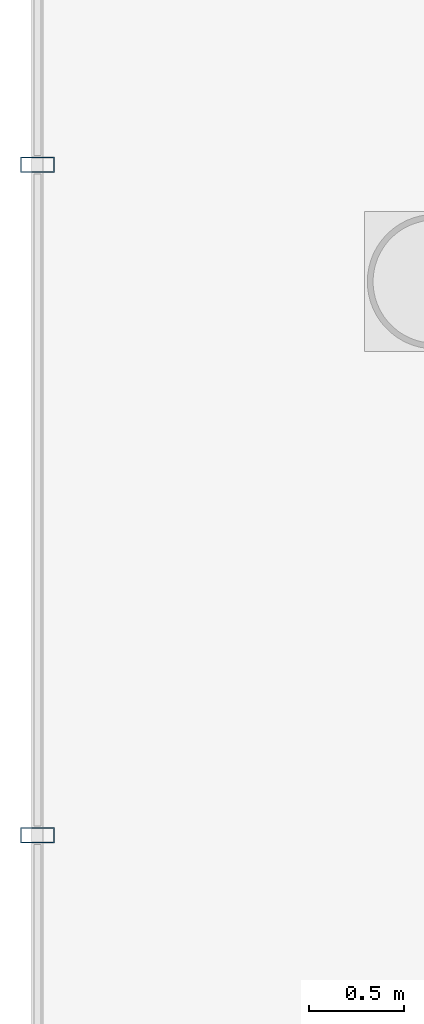
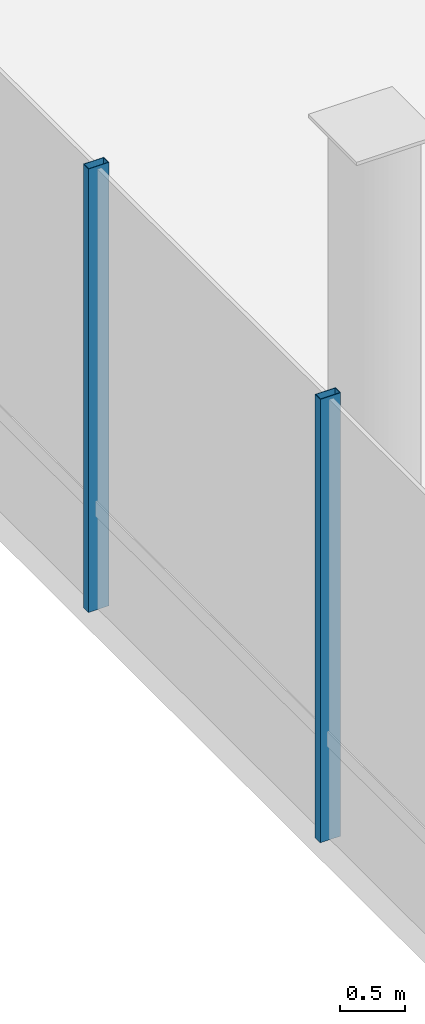
# One storey, part 10 of 43: 2 members, 1 element without a shape of its own.
"""IFC4 building model written with IfcOpenShell, lengths in metres."""

from ifc_helpers import new_model, si_unit, direction, frame, origin, origin_2d, place, context, subcontext, project, spatial, hollow_rectangle, extrude, material, layer, layer_set, material_profile, profile_set, type_object, element, aggregate, save


model = new_model("IFC4")

# Units and contexts
model_context = context("Model", 3, precision=1e-05, world=origin(), true_north=direction((0.0, 1.0)))
body_context = subcontext(model_context, "Body", "Model", "MODEL_VIEW")
ifc_project = project(units=[si_unit("LENGTHUNIT", "METRE"), si_unit("AREAUNIT", "SQUARE_METRE"), si_unit("VOLUMEUNIT", "CUBIC_METRE"), si_unit("PLANEANGLEUNIT", "RADIAN"), si_unit("MASSUNIT", "GRAM", prefix="KILO")], contexts=[model_context])

# Site, building, storey
site_placement = place(None, origin())
site = spatial("IfcSite", under=ifc_project, at=site_placement, CompositionType="ELEMENT")
building_placement = place(site_placement, origin())
building = spatial("IfcBuilding", under=site, at=building_placement, Name="Zarrinselat Tower", CompositionType="ELEMENT")
storey_placement = place(building_placement, frame((0.0, 0.0, 5.10009765625)))
storey = spatial("IfcBuildingStorey", under=building, at=storey_placement, Name="L01", CompositionType="ELEMENT", Elevation=5.10009765625)

# Curtain wall, members
ifc_material_1 = material(Name="Extruded Aluminium Alloy EN AW-6063 T6", Category="aluminium")
ifc_layer = layer(ifc_material_1, 0.2099609375)
ifc_layer_set = layer_set([ifc_layer], Name="Extruded Aluminium Alloy EN AW-6063 T6")
curtain_wall_type = type_object("IfcCurtainWallType", Name="CWS-POD", PredefinedType="NOTDEFINED", material=ifc_layer_set)
curtain_wall_placement = place(storey_placement, origin())
curtain_wall = element("IfcCurtainWall", 1, at=curtain_wall_placement, inside=storey, type_object=curtain_wall_type, Name="L01 Unitised Curtain Wall CW-L01-F7", PredefinedType="NOTDEFINED")
ifc_material_2 = material(Name="Extruded Aluminium Alloy EN AW-6063 T6", Category="aluminium")
ifc_material_profile = material_profile(ifc_material_2, hollow_rectangle(XDim=0.080078125, YDim=0.179931640625, WallThickness=0.0048828125, at=origin_2d()), Name="RHS 180x80x5")
ifc_profile_set = profile_set([ifc_material_profile], Name="Extruded Aluminium Alloy EN AW-6063 T6")
member_type = type_object("IfcMemberType", Name="MEM-CW-MUL", PredefinedType="MULLION", material=ifc_profile_set)
member_1_placement = place(storey_placement, frame((-2.5, 33.818115234375, 0.0), z_axis=(0.0, 0.0, 1.0), x_axis=(0.0, -1.0, 0.0)))
member_1 = element("IfcMember", 2, at=member_1_placement, type_object=member_type, Name="CW-L01-F7 Mullion 4", PredefinedType="MULLION", context=body_context, shape_type="SweptSolid", body=[
    extrude(hollow_rectangle(XDim=0.080078125, YDim=0.179931640625, WallThickness=0.0048828125, at=origin_2d()), origin(), (0.0, 0.0, 1.0), 4.139892578125),
])
member_2_placement = place(storey_placement, frame((-2.5, 30.272705078125, 0.0), z_axis=(0.0, 0.0, 1.0), x_axis=(0.0, -1.0, 0.0)))
member_2 = element("IfcMember", 3, at=member_2_placement, type_object=member_type, Name="CW-L01-F7 Mullion 5", PredefinedType="MULLION", context=body_context, shape_type="SweptSolid", body=[
    extrude(hollow_rectangle(XDim=0.080078125, YDim=0.179931640625, WallThickness=0.0048828125, at=origin_2d()), origin(), (0.0, 0.0, 1.0), 4.139892578125),
])
aggregate(curtain_wall, [member_1, member_2])

save(model, "model.ifc")
